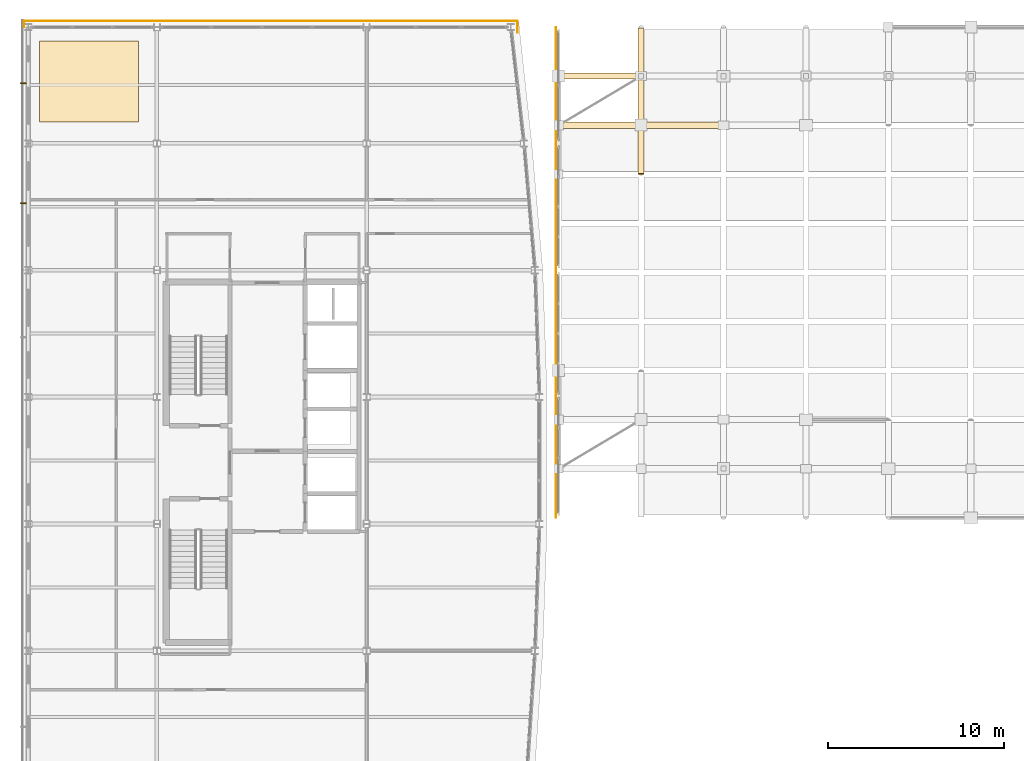
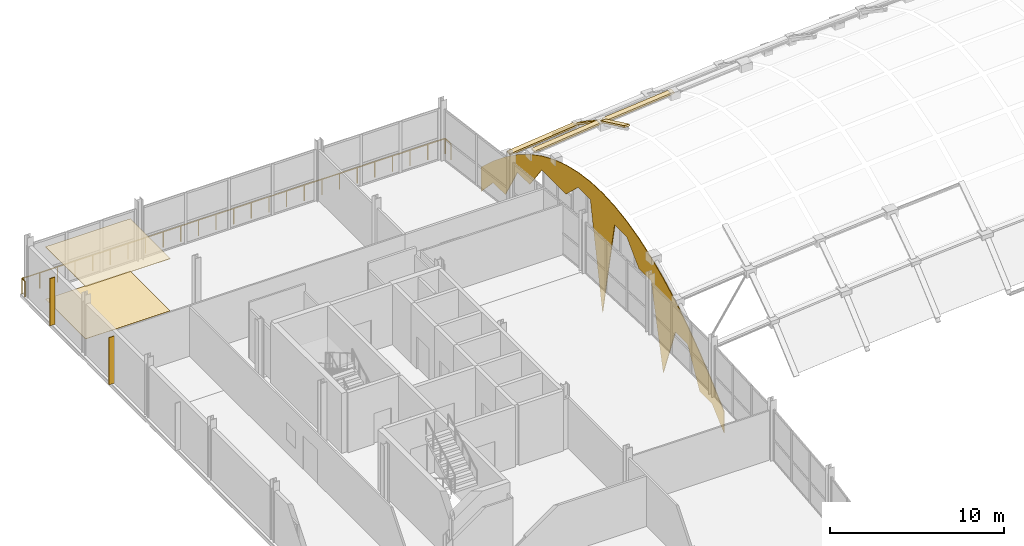
# One storey, part 63 of 65: 9 coverings, 2 shading devices, 1 railing.
"""IFC4 building model written with IfcOpenShell, lengths in metres."""

from ifc_helpers import new_model, si_unit, direction, frame, origin, origin_2d, place, context, subcontext, project, spatial, polyline, rectangle, circle, outline, extrude, material, layer, layer_set, type_object, element, save


model = new_model("IFC4")

# Units and contexts
model_context = context("Model", 3, precision=1e-05, world=origin(), true_north=direction((0.0, 1.0)))
body_context = subcontext(model_context, "Body", "Model", "MODEL_VIEW")
ifc_project = project(units=[si_unit("LENGTHUNIT", "METRE"), si_unit("AREAUNIT", "SQUARE_METRE"), si_unit("VOLUMEUNIT", "CUBIC_METRE"), si_unit("PLANEANGLEUNIT", "RADIAN"), si_unit("MASSUNIT", "GRAM", prefix="KILO")], contexts=[model_context])

# Site, building, storey
site_placement = place(None, origin())
site = spatial("IfcSite", under=ifc_project, at=site_placement, CompositionType="ELEMENT")
building_placement = place(site_placement, origin())
building = spatial("IfcBuilding", under=site, at=building_placement, Name="Quillay Park Conservatory", CompositionType="ELEMENT")
storey_placement = place(building_placement, frame((0.0, 0.0, 14.10009765625)))
storey = spatial("IfcBuildingStorey", under=building, at=storey_placement, Name="L03", CompositionType="ELEMENT", Elevation=14.10009765625)

# Coverings
ifc_material_1 = material(Name="Polished Andean Aggregate Terrazzo Flooring")
ifc_layer_1 = layer(ifc_material_1, 0.02197265625)
ifc_layer_set_1 = layer_set([ifc_layer_1], Name="ANDEAN TERRAZZO FLOORING 22 (Polished Andean Aggregate Terrazzo Flooring)")
covering_type_1 = type_object("IfcCoveringType", Name="ANDEAN TERRAZZO FLOORING 22", PredefinedType="FLOORING", material=ifc_layer_set_1)
covering_1_placement = place(storey_placement, origin())
element("IfcCovering", 1, at=covering_1_placement, inside=storey, type_object=covering_type_1, Name="L03 Interior Flooring Finish", PredefinedType="FLOORING", context=body_context, shape_type="SweptSolid", body=[
    extrude(outline(polyline([(1.199951171875, 108.0), (6.800048828125, 108.0), (6.800048828125, 112.60009765625), (1.199951171875, 112.60009765625), (1.199951171875, 108.0)])), origin(), (0.0, 0.0, 1.0), 0.02197265625),
])
ifc_material_2 = material(Name="Glass-Fibre Reinforced Concrete (GRC) Cladding", Category="concrete")
ifc_layer_2 = layer(ifc_material_2, 0.044921875)
ifc_layer_set_2 = layer_set([ifc_layer_2], Name="GRC SPANDREL CLADDING 45 (Glass-Fibre Reinforced Concrete (GRC) Cladding)")
covering_type_2 = type_object("IfcCoveringType", Name="GRC SPANDREL CLADDING 45", PredefinedType="CLADDING", material=ifc_layer_set_2)
covering_2_placement = place(storey_placement, frame((30.52001953125, 85.550048828125, -3.2001953125), z_axis=(1.0, 0.0, 0.0), x_axis=(0.0, 0.747300864769, 0.664485829431)))
element("IfcCovering", 2, at=covering_2_placement, inside=storey, type_object=covering_type_2, Name="L03 Conservatory West Arch Tympanum Spandrel Cladding", PredefinedType="CLADDING", context=body_context, shape_type="SweptSolid", body=[
    extrude(outline(polyline([(0.0, 0.0), (1.8631505060609488, -1.1102230246251565e-16), (2.903825343132479, -0.9253484304383187), (5.5693756849849, -0.023312714995071815), (6.610050522056431, -0.9486611454333906), (5.203009292357276, -4.626417696220191), (9.960489509823672, -1.371734360854541), (11.001164346895203, -2.29708279129286), (12.95272910516318, -2.1976494486904787), (13.993403942234709, -3.122997879128798), (10.40620103121474, -9.252997620426083), (16.13946236415797, -4.900553911944591), (17.1801372012295, -5.825902342382909), (17.340887443858982, -7.740840589840159), (18.381379834430327, -8.666026792292778), (19.422054671501854, -9.591375222731095), (19.227201169474817, -11.906236198600125), (20.267693560046162, -12.831422401052743), (19.71204501782017, -15.552044393339566), (20.7527198548917, -16.47739282377788), (20.812219615929294, -18.505833012866464), (21.958035878935227, -17.21721338203964), (21.761129014008915, -15.343305378610168), (21.47319203058987, -13.5714051873002), (21.094407375178292, -11.90167503609543), (20.627553142045567, -10.331358008978553), (20.072264438191333, -8.860129649978168), (19.426128062344556, -7.491071331082985), (18.689326461005425, -6.2243452802787), (17.864090388944778, -5.0567078975909086), (16.950602292662808, -3.9883214110053116), (15.946448970888481, -3.022267192510614), (14.853861178392641, -2.15530164213241), (13.670425713904258, -1.3905061318594045), (12.39892067169474, -0.7251237456742938), (11.036385510992488, -0.16174917160868052), (9.585598326068911, 0.30237450635473806), (8.044145915652983, 0.6641659162272564), (6.414259034515538, 0.9268686579832819), (4.693524481385552, 1.0874013596341081), (2.8845379040342403, 1.1486831651827412), (0.9874817489617891, 1.1105518466434792), (0.0, 0.0)])), origin(), (0.0, 0.0, -1.0), 0.044921875),
])
ifc_material_3 = material(Name="Thermally Broken Anodised Aluminium 6063-T6", Category="aluminium")
ifc_layer_3 = layer(ifc_material_3, 0.090087890625)
ifc_layer_set_3 = layer_set([ifc_layer_3], Name="GRIDSHELL GLAZING CAP BAR 90 (Thermally Broken Anodised Aluminium 6063-T6)")
covering_type_3 = type_object("IfcCoveringType", Name="GRIDSHELL GLAZING CAP BAR 90", PredefinedType="CLADDING", material=ifc_layer_set_3)
covering_3_placement = place(storey_placement, frame((35.15283203125, 105.094970703125, 4.816650390625), z_axis=(0.0, 0.429589332762, 0.903024365772), x_axis=(1.0, 0.0, 0.0)))
element("IfcCovering", 3, at=covering_3_placement, inside=storey, type_object=covering_type_3, Name="Gridshell Transverse Glazing Cap Bar 01-07", PredefinedType="CLADDING", context=body_context, shape_type="SweptSolid", body=[
    extrude(outline(polyline([(0.0, 0.0), (0.349853515625, 0.0), (0.349853515625, 2.973406582950739), (0.0, 2.973406582950739), (0.0, 0.0)])), origin(), (0.0, 0.0, -1.0), 0.1201171875),
])
covering_4_placement = place(storey_placement, frame((35.15283203125, 107.8798828125, 3.484619140625), z_axis=(0.0, 0.556164150236, 0.83107246254), x_axis=(1.0, 0.0, 0.0)))
element("IfcCovering", 4, at=covering_4_placement, inside=storey, type_object=covering_type_3, Name="Gridshell Transverse Glazing Cap Bar 01-08", PredefinedType="CLADDING", context=body_context, shape_type="SweptSolid", body=[
    extrude(outline(polyline([(0.0, 0.0), (0.349853515625, 0.0), (0.349853515625, 3.230835715027263), (0.0, 3.230835715027263), (0.0, 0.0)])), origin(), (0.0, 0.0, -1.0), 0.1201171875),
])
covering_5_placement = place(storey_placement, frame((35.15283203125, 110.6650390625, 1.613525390625), z_axis=(0.0, 0.652582474845, 0.757717700417), x_axis=(1.0, 0.0, 0.0)))
element("IfcCovering", 5, at=covering_5_placement, inside=storey, type_object=covering_type_3, Name="Gridshell Transverse Glazing Cap Bar 01-09", PredefinedType="CLADDING", context=body_context, shape_type="SweptSolid", body=[
    extrude(outline(polyline([(0.0, 0.0), (0.349853515625, 0.0), (0.349853515625, 3.543613396220125), (0.0, 3.543613396220125), (0.0, 0.0)])), origin(), (0.0, 0.0, -1.0), 0.1201171875),
])
covering_6_placement = place(storey_placement, frame((30.699951171875, 107.655029296875, 3.023681640625), z_axis=(-0.105220344611, 0.0, 0.994448932364), x_axis=(0.994448932364, 0.0, 0.105220344611)))
element("IfcCovering", 6, at=covering_6_placement, inside=storey, type_object=covering_type_3, Name="Gridshell Longitudinal Glazing Cap Bar 00-08", PredefinedType="CLADDING", context=body_context, shape_type="SweptSolid", body=[
    extrude(outline(polyline([(0.0, 0.0), (4.603434837516112, 0.0), (4.603434837516112, 0.349853515625), (0.0, 0.349853515625), (0.0, 0.0)])), origin(), (0.0, 0.0, -1.0), 0.1201171875),
])
covering_7_placement = place(storey_placement, frame((35.377685546875, 107.655029296875, 3.515869140625), z_axis=(-0.093450911608, 0.0, 0.995623888383), x_axis=(0.995623888383, 0.0, 0.093450911608)))
element("IfcCovering", 7, at=covering_7_placement, inside=storey, type_object=covering_type_3, Name="Gridshell Longitudinal Glazing Cap Bar 01-08", PredefinedType="CLADDING", context=body_context, shape_type="SweptSolid", body=[
    extrude(outline(polyline([(0.0, 0.0), (4.5980022303483326, 0.0), (4.5980022303483326, 0.34985351562499994), (0.0, 0.34985351562499994), (0.0, 0.0)])), origin(), (0.0, 0.0, -1.0), 0.1201171875),
])
covering_8_placement = place(storey_placement, frame((30.699951171875, 110.43994140625, 1.164306640625), z_axis=(-0.105220344611, 0.0, 0.994448932364), x_axis=(0.994448932364, 0.0, 0.105220344611)))
element("IfcCovering", 8, at=covering_8_placement, inside=storey, type_object=covering_type_3, Name="Gridshell Longitudinal Glazing Cap Bar 00-09", PredefinedType="CLADDING", context=body_context, shape_type="SweptSolid", body=[
    extrude(outline(polyline([(0.0, 0.0), (4.603434837516112, 0.0), (4.603434837516112, 0.35009765625), (0.0, 0.35009765625), (0.0, 0.0)])), origin(), (0.0, 0.0, -1.0), 0.1201171875),
])
ifc_material_4 = material(Name="Perforated Mineral-Fibre Acoustic Ceiling")
ifc_layer_4 = layer(ifc_material_4, 0.030029296875)
ifc_layer_set_4 = layer_set([ifc_layer_4], Name="LABORATORY HYGIENIC CEILING 30 (Perforated Mineral-Fibre Acoustic Ceiling)")
covering_type_4 = type_object("IfcCoveringType", Name="LABORATORY HYGIENIC CEILING 30", PredefinedType="CEILING", material=ifc_layer_set_4)
covering_9_placement = place(storey_placement, frame((0.0, 0.0, 3.656982421875)))
element("IfcCovering", 9, at=covering_9_placement, inside=storey, type_object=covering_type_4, Name="L03 Suspended Acoustic Ceiling", PredefinedType="CEILING", context=body_context, shape_type="SweptSolid", body=[
    extrude(outline(polyline([(1.199951171875, 108.0), (6.800048828125, 108.0), (6.800048828125, 112.60009765625), (1.199951171875, 112.60009765625), (1.199951171875, 108.0)])), origin(), (0.0, 0.0, 1.0), 0.030029296875),
])

# Railing
ifc_material_5 = material(Name="Steel S355J2H", Category="steel")
railing_type = type_object("IfcRailingType", Name="TERRACE PERIMETER GUARDRAIL 1100", PredefinedType="GUARDRAIL", material=ifc_material_5)
railing_placement = place(storey_placement, frame((0.31005859375, 113.39990234375, 0.0)))
element("IfcRailing", 10, at=railing_placement, inside=storey, type_object=railing_type, Name="L03 Perimeter Safety Guardrail 024", PredefinedType="GUARDRAIL", context=body_context, shape_type="SweptSolid", body=[
    extrude(circle(Radius=0.02392578125, at=origin_2d()), frame((0.0, 0.0, 1.076171875), z_axis=(0.0, 1.0, 0.0), x_axis=(-1.0, 0.0, 0.0)), (0.0, 0.0, 1.0), 0.340087890625),
    extrude(circle(Radius=0.02392578125, at=origin_2d()), frame((0.0, 0.340087890625, 1.076171875), z_axis=(1.0, 0.0, 0.0), x_axis=(0.0, 1.0, 0.0)), (0.0, 0.0, 1.0), 28.0048828125),
    extrude(circle(Radius=0.02392578125, at=origin_2d()), frame((28.0048828125, 0.340087890625, 1.076171875), z_axis=(0.0, -1.0, 0.0), x_axis=(1.0, 0.0, 0.0)), (0.0, 0.0, 1.0), 0.639892578125),
    extrude(circle(Radius=0.02099609375, at=origin_2d()), origin(), (0.0, 0.0, 1.0), 1.052001953125),
    extrude(circle(Radius=0.02099609375, at=origin_2d()), frame((0.0, 0.340087890625, 0.0)), (0.0, 0.0, 1.0), 1.052001953125),
    extrude(circle(Radius=0.02099609375, at=origin_2d()), frame((1.1669921875, 0.340087890625, 0.0)), (0.0, 0.0, 1.0), 1.052001953125),
    extrude(circle(Radius=0.02099609375, at=origin_2d()), frame((2.333740234375, 0.340087890625, 0.0)), (0.0, 0.0, 1.0), 1.052001953125),
    extrude(circle(Radius=0.02099609375, at=origin_2d()), frame((3.50048828125, 0.340087890625, 0.0)), (0.0, 0.0, 1.0), 1.052001953125),
    extrude(circle(Radius=0.02099609375, at=origin_2d()), frame((4.66748046875, 0.340087890625, 0.0)), (0.0, 0.0, 1.0), 1.052001953125),
    extrude(circle(Radius=0.02099609375, at=origin_2d()), frame((5.83447265625, 0.340087890625, 0.0)), (0.0, 0.0, 1.0), 1.052001953125),
    extrude(circle(Radius=0.02099609375, at=origin_2d()), frame((7.001220703125, 0.340087890625, 0.0)), (0.0, 0.0, 1.0), 1.052001953125),
    extrude(circle(Radius=0.02099609375, at=origin_2d()), frame((8.16796875, 0.340087890625, 0.0)), (0.0, 0.0, 1.0), 1.052001953125),
    extrude(circle(Radius=0.02099609375, at=origin_2d()), frame((9.3349609375, 0.340087890625, 0.0)), (0.0, 0.0, 1.0), 1.052001953125),
    extrude(circle(Radius=0.02099609375, at=origin_2d()), frame((10.501953125, 0.340087890625, 0.0)), (0.0, 0.0, 1.0), 1.052001953125),
    extrude(circle(Radius=0.02099609375, at=origin_2d()), frame((11.668701171875, 0.340087890625, 0.0)), (0.0, 0.0, 1.0), 1.052001953125),
    extrude(circle(Radius=0.02099609375, at=origin_2d()), frame((12.83544921875, 0.340087890625, 0.0)), (0.0, 0.0, 1.0), 1.052001953125),
    extrude(circle(Radius=0.02099609375, at=origin_2d()), frame((14.00244140625, 0.340087890625, 0.0)), (0.0, 0.0, 1.0), 1.052001953125),
    extrude(circle(Radius=0.02099609375, at=origin_2d()), frame((15.169189453125, 0.340087890625, 0.0)), (0.0, 0.0, 1.0), 1.052001953125),
    extrude(circle(Radius=0.02099609375, at=origin_2d()), frame((16.336181640625, 0.340087890625, 0.0)), (0.0, 0.0, 1.0), 1.052001953125),
    extrude(circle(Radius=0.02099609375, at=origin_2d()), frame((17.5029296875, 0.340087890625, 0.0)), (0.0, 0.0, 1.0), 1.052001953125),
    extrude(circle(Radius=0.02099609375, at=origin_2d()), frame((18.669921875, 0.340087890625, 0.0)), (0.0, 0.0, 1.0), 1.052001953125),
    extrude(circle(Radius=0.02099609375, at=origin_2d()), frame((19.8369140625, 0.340087890625, 0.0)), (0.0, 0.0, 1.0), 1.052001953125),
    extrude(circle(Radius=0.02099609375, at=origin_2d()), frame((21.003662109375, 0.340087890625, 0.0)), (0.0, 0.0, 1.0), 1.052001953125),
    extrude(circle(Radius=0.02099609375, at=origin_2d()), frame((22.17041015625, 0.340087890625, 0.0)), (0.0, 0.0, 1.0), 1.052001953125),
    extrude(circle(Radius=0.02099609375, at=origin_2d()), frame((23.33740234375, 0.340087890625, 0.0)), (0.0, 0.0, 1.0), 1.052001953125),
    extrude(circle(Radius=0.02099609375, at=origin_2d()), frame((24.50439453125, 0.340087890625, 0.0)), (0.0, 0.0, 1.0), 1.052001953125),
    extrude(circle(Radius=0.02099609375, at=origin_2d()), frame((25.671142578125, 0.340087890625, 0.0)), (0.0, 0.0, 1.0), 1.052001953125),
    extrude(circle(Radius=0.02099609375, at=origin_2d()), frame((26.837890625, 0.340087890625, 0.0)), (0.0, 0.0, 1.0), 1.052001953125),
    extrude(circle(Radius=0.02099609375, at=origin_2d()), frame((28.0048828125, 0.340087890625, 0.0)), (0.0, 0.0, 1.0), 1.052001953125),
    extrude(circle(Radius=0.02099609375, at=origin_2d()), frame((28.0048828125, -0.2998046875, 0.0)), (0.0, 0.0, 1.0), 1.052001953125),
])

# Shading devices
ifc_material_6 = material(Name="Perforated Copper-Bronze Anodised Aluminium", Category="aluminium")
shading_device_type = type_object("IfcShadingDeviceType", Name="COPPER BRONZE SOLAR FIN", PredefinedType="USERDEFINED", material=ifc_material_6)
for number, where, z_axis, x_axis, name in (
    (11, (0.2548828125, 103.39990234375, 0.0), (0.0, 0.0, 1.0), (1.0, 0.0, 0.0), "L03 Perforated Copper-Bronze Solar Fin 009"),
    (12, (0.2548828125, 110.199951171875, 0.0), (0.0, 0.0, 1.0), (1.0, 0.0, 0.0), "L03 Perforated Copper-Bronze Solar Fin 010"),
):
    element("IfcShadingDevice", number, at=place(storey_placement, frame(where, z_axis=z_axis, x_axis=x_axis)), inside=storey, type_object=shading_device_type, Name=name, ObjectType="SOLAR FIN", PredefinedType="USERDEFINED", context=body_context, shape_type="SweptSolid", body=[
        extrude(rectangle(XDim=0.35009765625, YDim=0.054931640625, at=origin_2d()), origin(), (0.0, 0.0, 1.0), 3.300048828125),
    ])

save(model, "model.ifc")
